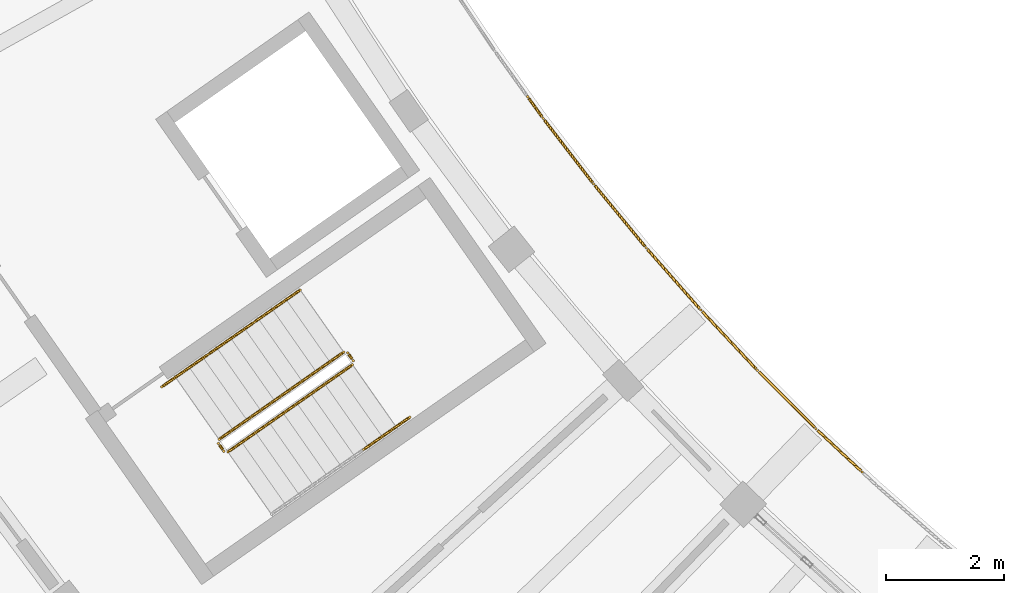
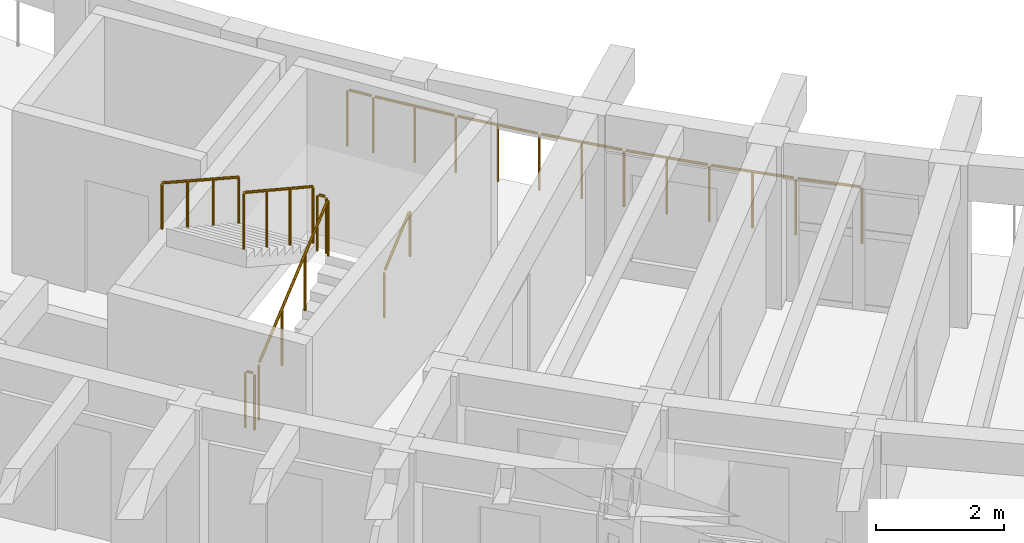
# One storey, part 80 of 96: 9 railings.
"""IFC4 building model written with IfcOpenShell, lengths in metres."""

import ifcopenshell
import ifcopenshell.guid

model = None  # the IFC model being written
_history = None  # IfcOwnerHistory: only IFC2X3 demands one
_inside = {}  # id of a spatial element -> (the spatial element, [elements in it])
_under = {}  # id of a project, library or spatial element -> (it, [spatial elements below it])
_declared = {}  # id of a project -> (the project, [libraries it declares])
_typed = {}  # id of a type object -> (the type object, [elements of that type])
_made_of = {}  # id of a material, layer set ... -> (it, [elements and type objects made of it])


def new_model(schema):
    """Start an empty IFC model of exactly this schema.

    Asked for "IFC4X3", IfcOpenShell would pick the latest addendum, in which some entities
    have other attributes; the version numbers below select the first issue.
    IFC2X3 requires an IfcOwnerHistory on every rooted entity: one is made here for all.
    """
    global model, _history
    if schema == "IFC4X3":
        model = ifcopenshell.file(schema_version=(4, 3, 0, 0))
    else:
        model = ifcopenshell.file(schema=schema)
    _inside.clear()
    _under.clear()
    _declared.clear()
    _typed.clear()
    _made_of.clear()
    _history = None
    if model.schema == "IFC2X3":
        org = make("IfcOrganization", Name="unknown")
        user = make(
            "IfcPersonAndOrganization",
            ThePerson=make("IfcPerson", FamilyName="unknown"),
            TheOrganization=org,
        )
        app = make(
            "IfcApplication",
            ApplicationDeveloper=org,
            Version="unknown",
            ApplicationFullName="unknown",
            ApplicationIdentifier="unknown",
        )
        _history = make(
            "IfcOwnerHistory",
            OwningUser=user,
            OwningApplication=app,
            ChangeAction="ADDED",
            CreationDate=0,
        )
    return model


def make(cls, **values):
    """One entity of the class cls with the attributes given. An attribute that is None is left unset."""
    return model.create_entity(
        cls, **{name: value for name, value in values.items() if value is not None}
    )


def rooted(cls, **values):
    """An entity with a GlobalId (a new one), such as an element, a storey or a relation."""
    return make(cls, GlobalId=ifcopenshell.guid.new(), OwnerHistory=_history, **values)


def si_unit(unit_type, name, prefix=None):
    """IfcSIUnit, for example si_unit("LENGTHUNIT", "METRE", prefix="MILLI")."""
    return make("IfcSIUnit", UnitType=unit_type, Prefix=prefix, Name=name)


def assignment(units):
    """IfcUnitAssignment: the units of a project."""
    return None if units is None else make("IfcUnitAssignment", Units=units)


def point(xyz):
    """IfcCartesianPoint."""
    return None if xyz is None else make("IfcCartesianPoint", Coordinates=xyz)


def direction(xyz):
    """IfcDirection."""
    return None if xyz is None else make("IfcDirection", DirectionRatios=xyz)


def frame(location, z_axis=None, x_axis=None):
    """IfcAxis2Placement3D, a coordinate frame: its origin and axes. An axis left out is left unset."""
    return make(
        "IfcAxis2Placement3D",
        Location=point(location),
        Axis=direction(z_axis),
        RefDirection=direction(x_axis),
    )


def frame_2d(location, x_axis=None):
    """IfcAxis2Placement2D, a coordinate frame in the plane: its origin and x axis."""
    return make(
        "IfcAxis2Placement2D", Location=point(location), RefDirection=direction(x_axis)
    )


def origin():
    """The frame at (0, 0, 0) with its axes left unset."""
    return frame((0.0, 0.0, 0.0))


def origin_2d():
    """The frame at (0, 0) in the plane with its x axis left unset."""
    return frame_2d((0.0, 0.0))


def place(relative_to, where):
    """IfcLocalPlacement: puts the frame where relative to a parent placement (None: the world)."""
    return make(
        "IfcLocalPlacement", PlacementRelTo=relative_to, RelativePlacement=where
    )


def context(
    kind, dimensions, precision=None, world=None, true_north=None, identifier=None
):
    """IfcGeometricRepresentationContext, for example the 3D "Model" context."""
    return make(
        "IfcGeometricRepresentationContext",
        ContextIdentifier=identifier,
        ContextType=kind,
        CoordinateSpaceDimension=dimensions,
        Precision=precision,
        WorldCoordinateSystem=world,
        TrueNorth=true_north,
    )


def subcontext(parent, identifier, kind, view, scale=None):
    """IfcGeometricRepresentationSubContext, for example "Body" below "Model"."""
    return make(
        "IfcGeometricRepresentationSubContext",
        ContextIdentifier=identifier,
        ContextType=kind,
        ParentContext=parent,
        TargetScale=scale,
        TargetView=view,
    )


def project(units=None, contexts=None):
    """IfcProject with its units and contexts."""
    return rooted(
        "IfcProject",
        Name="project",
        RepresentationContexts=contexts,
        UnitsInContext=assignment(units),
    )


def spatial(cls, under=None, at=None, **own):
    """A site, building, storey or space (cls), placed at a placement, below another one or the project."""
    s = rooted(cls, ObjectPlacement=at, **own)
    if under is not None:
        _under.setdefault(under.id(), (under, []))[1].append(s)
    return s


def profile(cls, at=None, kind="AREA", **sizes):
    """A parametric profile (cls). Its sizes go by their IFC names, for example OverallWidth=200.0."""
    return make(cls, ProfileType=kind, Position=at, **sizes)


def circle(**sizes):
    """IfcCircleProfileDef."""
    return profile("IfcCircleProfileDef", **sizes)


def extrude(swept, where, along, depth):
    """IfcExtrudedAreaSolid: the profile swept, set in the frame where, extruded along a direction by depth."""
    return make(
        "IfcExtrudedAreaSolid",
        SweptArea=swept,
        Position=where,
        ExtrudedDirection=direction(along),
        Depth=depth,
    )


def shape(context_of_items, identifier, shape_type, items):
    """IfcShapeRepresentation: the items that make up one representation, for example the "Body"."""
    return make(
        "IfcShapeRepresentation",
        ContextOfItems=context_of_items,
        RepresentationIdentifier=identifier,
        RepresentationType=shape_type,
        Items=items,
    )


def material(Name=None, Category=None):
    """IfcMaterial."""
    return make("IfcMaterial", Name=Name, Category=Category)


def made_of(thing, what):
    """Note that an element or type object is made of a material, layer set ...; save() writes the relation."""
    if what is not None:
        _made_of.setdefault(what.id(), (what, []))[1].append(thing)
    return thing


def type_object(cls, material=None, **own):
    """A type object (cls), such as IfcWallType, which elements share."""
    return made_of(rooted(cls, **own), material)


def element(
    cls,
    number,
    at=None,
    inside=None,
    cuts=None,
    type_object=None,
    material=None,
    context=None,
    identifier="Body",
    shape_type=None,
    held_by="IfcProductDefinitionShape",
    body=None,
    shapes=None,
    **own,
):
    """One element of the class cls, such as IfcWall. Its Tag is "e" and its number.

    at: its placement. inside: the storey or other place that contains it. cuts: it is an
    opening in that element (IfcRelVoidsElement). A single representation is given by context,
    identifier, shape_type and body (its items); several are given by shapes. held_by: the class
    of the entity that holds the representations. save() writes the other relations.
    """
    e = rooted(cls, Tag="e%d" % number, ObjectPlacement=at, **own)
    if body is not None:
        shapes = [shape(context, identifier, shape_type, body)]
    if shapes is not None:
        e.Representation = make(held_by, Representations=shapes)
    if inside is not None:
        _inside.setdefault(inside.id(), (inside, []))[1].append(e)
    if cuts is not None:
        rooted(
            "IfcRelVoidsElement", RelatingBuildingElement=cuts, RelatedOpeningElement=e
        )
    if type_object is not None:
        _typed.setdefault(type_object.id(), (type_object, []))[1].append(e)
    return made_of(e, material)


def aggregate(whole, parts):
    """IfcRelAggregates: a whole, such as a stair, and the parts it consists of."""
    return rooted("IfcRelAggregates", RelatingObject=whole, RelatedObjects=parts)


def save(model, path):
    """Write the relations noted so far, then the file.

    IfcRelAggregates (storeys below a building ...), IfcRelContainedInSpatialStructure (elements
    in a storey), IfcRelDefinesByType, IfcRelAssociatesMaterial and IfcRelDeclares: one each for
    every whole, place, type object, material and project.
    """
    for whole, parts in _under.values():
        aggregate(whole, parts)
    for where, things in _inside.values():
        rooted(
            "IfcRelContainedInSpatialStructure",
            RelatedElements=things,
            RelatingStructure=where,
        )
    for kind, things in _typed.values():
        rooted("IfcRelDefinesByType", RelatedObjects=things, RelatingType=kind)
    for what, things in _made_of.values():
        rooted("IfcRelAssociatesMaterial", RelatedObjects=things, RelatingMaterial=what)
    for by, libraries in _declared.values():
        rooted("IfcRelDeclares", RelatingContext=by, RelatedDefinitions=libraries)
    model.write(path)


model = new_model("IFC4")

# Units and contexts
model_context = context("Model", 3, precision=1e-05, world=origin(), true_north=direction((0.0, 1.0)))
body_context = subcontext(model_context, "Body", "Model", "MODEL_VIEW")
ifc_project = project(units=[si_unit("LENGTHUNIT", "METRE"), si_unit("AREAUNIT", "SQUARE_METRE"), si_unit("VOLUMEUNIT", "CUBIC_METRE"), si_unit("PLANEANGLEUNIT", "RADIAN"), si_unit("MASSUNIT", "GRAM", prefix="KILO")], contexts=[model_context])

# Site, building, storey
site_placement = place(None, origin())
site = spatial("IfcSite", under=ifc_project, at=site_placement, CompositionType="ELEMENT")
building_placement = place(site_placement, origin())
building = spatial("IfcBuilding", under=site, at=building_placement, Name="Tanwirah Colonnade Gardens", CompositionType="ELEMENT")
storey_placement = place(building_placement, frame((0.0, 0.0, 12.199951171875)))
storey = spatial("IfcBuildingStorey", under=building, at=storey_placement, Name="L03", CompositionType="ELEMENT", Elevation=12.199951171875)

# Railings
ifc_material_1 = material(Name="Precast concrete C40/50", Category="concrete")
railing_type_1 = type_object("IfcRailingType", Name="BAL-EXT110", PredefinedType="BALUSTRADE", material=ifc_material_1)
railing_1_placement = place(storey_placement, frame((30.484375, 39.403564453125, 0.0)))
element("IfcRailing", 1, at=railing_1_placement, inside=storey, type_object=railing_type_1, Name="Block C L03 Balcony Ribbon Balustrade 3", PredefinedType="BALUSTRADE", context=body_context, shape_type="SweptSolid", body=[
    extrude(circle(Radius=0.02392578125, at=origin_2d()), frame((0.018310546875, -0.025390625, 1.076171875), z_axis=(0.583501451955, -0.812112095444, 0.0), x_axis=(0.812112095444, 0.583501451955, 0.0)), (0.0, 0.0, 1.0), 0.385986328125),
    extrude(circle(Radius=0.02392578125, at=origin_2d()), frame((0.2822265625, -0.391357421875, 1.076171875), z_axis=(0.609651512095, -0.792669561546, 0.0), x_axis=(0.792669561546, 0.609651512095, 0.0)), (0.0, 0.0, 1.0), 1.33154296875),
    extrude(circle(Radius=0.02392578125, at=origin_2d()), frame((1.134521484375, -1.49755859375, 1.076171875), z_axis=(0.635209885743, -0.77233956331, 0.0), x_axis=(0.77233956331, 0.635209885743, 0.0)), (0.0, 0.0, 1.0), 1.33154296875),
    extrude(circle(Radius=0.02392578125, at=origin_2d()), frame((2.022705078125, -2.57568359375, 1.076171875), z_axis=(0.660288280901, -0.751012240982, 0.0), x_axis=(0.751012240982, 0.660288280901, 0.0)), (0.0, 0.0, 1.0), 1.33154296875),
    extrude(circle(Radius=0.02392578125, at=origin_2d()), frame((2.945556640625, -3.623779296875, 1.076171875), z_axis=(0.684424509294, -0.729083733928, 0.0), x_axis=(0.729083733928, 0.684424509294, 0.0)), (0.0, 0.0, 1.0), 1.33154296875),
    extrude(circle(Radius=0.02392578125, at=origin_2d()), frame((3.902099609375, -4.641357421875, 1.076171875), z_axis=(0.707894448134, -0.706318235855, 0.0), x_axis=(0.706318235855, 0.707894448134, 0.0)), (0.0, 0.0, 1.0), 1.33154296875),
    extrude(circle(Radius=0.02392578125, at=origin_2d()), frame((4.8916015625, -5.627197265625, 1.076171875), z_axis=(0.730536879767, -0.682873243948, 0.0), x_axis=(0.682873243948, 0.730536879767, 0.0)), (0.0, 0.0, 1.0), 1.0029296875),
    extrude(circle(Radius=0.02099609375, at=origin_2d()), origin(), (0.0, 0.0, 1.0), 1.049072265625),
    extrude(circle(Radius=0.02099609375, at=origin_2d()), frame((0.26171875, -0.3642578125, 0.0)), (0.0, 0.0, 1.0), 1.049072265625),
    extrude(circle(Radius=0.02099609375, at=origin_2d()), frame((0.68798828125, -0.9189453125, 0.0)), (0.0, 0.0, 1.0), 1.049072265625),
    extrude(circle(Radius=0.02099609375, at=origin_2d()), frame((1.113037109375, -1.471435546875, 0.0)), (0.0, 0.0, 1.0), 1.049072265625),
    extrude(circle(Radius=0.02099609375, at=origin_2d()), frame((1.5576171875, -2.01171875, 0.0)), (0.0, 0.0, 1.0), 1.049072265625),
    extrude(circle(Radius=0.02099609375, at=origin_2d()), frame((2.000244140625, -2.550048828125, 0.0)), (0.0, 0.0, 1.0), 1.049072265625),
    extrude(circle(Radius=0.02099609375, at=origin_2d()), frame((2.462158203125, -3.07568359375, 0.0)), (0.0, 0.0, 1.0), 1.049072265625),
    extrude(circle(Radius=0.02099609375, at=origin_2d()), frame((2.92236328125, -3.59912109375, 0.0)), (0.0, 0.0, 1.0), 1.049072265625),
    extrude(circle(Radius=0.02099609375, at=origin_2d()), frame((3.401123046875, -4.109375, 0.0)), (0.0, 0.0, 1.0), 1.049072265625),
    extrude(circle(Radius=0.02099609375, at=origin_2d()), frame((3.878173828125, -4.617431640625, 0.0)), (0.0, 0.0, 1.0), 1.049072265625),
    extrude(circle(Radius=0.02099609375, at=origin_2d()), frame((4.373291015625, -5.11181640625, 0.0)), (0.0, 0.0, 1.0), 1.049072265625),
    extrude(circle(Radius=0.02099609375, at=origin_2d()), frame((4.86669921875, -5.60400390625, 0.0)), (0.0, 0.0, 1.0), 1.049072265625),
    extrude(circle(Radius=0.02099609375, at=origin_2d()), frame((5.64697265625, -6.33349609375, 0.0)), (0.0, 0.0, 1.0), 1.049072265625),
])
ifc_material_2 = material(Name="Powder-coated galvanized steel", Category="steel")
railing_type_2 = type_object("IfcRailingType", Name="GRD-ST110", PredefinedType="GUARDRAIL", material=ifc_material_2)
railing_2_placement = place(storey_placement, frame((25.426513671875, 33.40869140625, 0.16796875)))
element("IfcRailing", 2, at=railing_2_placement, inside=storey, type_object=railing_type_2, Name="L03 ST-C1 stair guard 1", PredefinedType="GUARDRAIL", context=body_context, shape_type="SweptSolid", body=[
    extrude(circle(Radius=0.02392578125, at=origin_2d()), frame((0.02197265625, 0.015380859375, 1.092041015625), z_axis=(0.705672637115, 0.494118441931, 0.507812066193), x_axis=(-0.573577325805, 0.819151421486, 0.0)), (0.0, 0.0, 1.0), 2.914794921875),
    extrude(circle(Radius=0.02099609375, at=origin_2d()), origin(), (0.0, 0.0, 1.0), 1.049072265625),
    extrude(circle(Radius=0.02099609375, at=origin_2d()), frame((0.700439453125, 0.490478515625, 0.50390625)), (0.0, 0.0, 1.0), 1.049072265625),
    extrude(circle(Radius=0.02099609375, at=origin_2d()), frame((1.400634765625, 0.980712890625, 1.008056640625)), (0.0, 0.0, 1.0), 1.049072265625),
    extrude(circle(Radius=0.02099609375, at=origin_2d()), frame((2.10107421875, 1.47119140625, 1.511962890625)), (0.0, 0.0, 1.0), 1.049072265625),
])
railing_3_placement = place(storey_placement, frame((27.539794921875, 34.94970703125, 1.679931640625)))
element("IfcRailing", 3, at=railing_3_placement, inside=storey, type_object=railing_type_2, Name="L03 ST-C1 stair guard 2", PredefinedType="GUARDRAIL", context=body_context, shape_type="SweptSolid", body=[
    extrude(circle(Radius=0.02392578125, at=origin_2d()), frame((-0.01806640625, 0.025634765625, 1.076171875), z_axis=(-0.57428210862, 0.81865747399, 0.0), x_axis=(-0.81865747399, -0.57428210862, 0.0)), (0.0, 0.0, 1.0), 0.097412109375),
    extrude(circle(Radius=0.02099609375, at=origin_2d()), origin(), (0.0, 0.0, 1.0), 1.049072265625),
    extrude(circle(Radius=0.02099609375, at=origin_2d()), frame((-0.091796875, 0.130859375, 0.0)), (0.0, 0.0, 1.0), 1.049072265625),
])
railing_4_placement = place(storey_placement, frame((27.37841796875, 35.093017578125, 1.84814453125)))
element("IfcRailing", 4, at=railing_4_placement, inside=storey, type_object=railing_type_2, Name="L03 ST-C1 stair guard 3", PredefinedType="GUARDRAIL", context=body_context, shape_type="SweptSolid", body=[
    extrude(circle(Radius=0.02392578125, at=origin_2d()), frame((-0.02197265625, -0.015380859375, 1.092041015625), z_axis=(-0.705672637115, -0.494118441931, 0.507812066193), x_axis=(0.573577325805, -0.819151421486, 0.0)), (0.0, 0.0, 1.0), 2.914794921875),
    extrude(circle(Radius=0.02099609375, at=origin_2d()), origin(), (0.0, 0.0, 1.0), 1.049072265625),
    extrude(circle(Radius=0.02099609375, at=origin_2d()), frame((-0.700439453125, -0.490478515625, 0.50390625)), (0.0, 0.0, 1.0), 1.049072265625),
    extrude(circle(Radius=0.02099609375, at=origin_2d()), frame((-1.400634765625, -0.980712890625, 1.008056640625)), (0.0, 0.0, 1.0), 1.049072265625),
    extrude(circle(Radius=0.02099609375, at=origin_2d()), frame((-2.10107421875, -1.47119140625, 1.511962890625)), (0.0, 0.0, 1.0), 1.049072265625),
])
railing_5_placement = place(storey_placement, frame((25.356689453125, 33.4208984375, 0.0)))
element("IfcRailing", 5, at=railing_5_placement, inside=storey, type_object=railing_type_2, Name="L03 ST-C1 stair guard 4", PredefinedType="GUARDRAIL", context=body_context, shape_type="SweptSolid", body=[
    extrude(circle(Radius=0.02392578125, at=origin_2d()), frame((-0.017822265625, 0.025634765625, 1.076171875), z_axis=(-0.57356471828, 0.819160249246, 0.0), x_axis=(-0.819160249246, -0.57356471828, 0.0)), (0.0, 0.0, 1.0), 0.097412109375),
    extrude(circle(Radius=0.02099609375, at=origin_2d()), origin(), (0.0, 0.0, 1.0), 1.049072265625),
    extrude(circle(Radius=0.02099609375, at=origin_2d()), frame((-0.091796875, 0.131103515625, 0.0)), (0.0, 0.0, 1.0), 1.049072265625),
])
ifc_material_3 = material(Name="Brushed bronze stainless steel", Category="steel")
railing_type_3 = type_object("IfcRailingType", Name="HR-ST090", PredefinedType="HANDRAIL", material=ifc_material_3)
railing_6_placement = place(storey_placement, frame((27.717041015625, 33.449951171875, 1.300048828125)))
element("IfcRailing", 6, at=railing_6_placement, inside=storey, type_object=railing_type_3, Name="L03 ST-C1 stair handrail 3", PredefinedType="HANDRAIL", context=body_context, shape_type="SweptSolid", body=[
    extrude(circle(Radius=0.02392578125, at=origin_2d()), frame((0.02197265625, 0.015380859375, 0.891845703125), z_axis=(0.703686044561, 0.492823109966, 0.511811814023), x_axis=(-0.57365206981, 0.819099079967, 0.0)), (0.0, 0.0, 1.0), 1.043212890625),
    extrude(circle(Radius=0.02099609375, at=origin_2d()), origin(), (0.0, 0.0, 1.0), 0.848876953125),
    extrude(circle(Radius=0.02099609375, at=origin_2d()), frame((0.778076171875, 0.544921875, 0.56591796875)), (0.0, 0.0, 1.0), 0.848876953125),
])
railing_7_placement = place(storey_placement, frame((26.644287109375, 36.141357421875, 1.84814453125)))
element("IfcRailing", 7, at=railing_7_placement, inside=storey, type_object=railing_type_3, Name="L03 ST-C1 stair handrail 4", PredefinedType="HANDRAIL", context=body_context, shape_type="SweptSolid", body=[
    extrude(circle(Radius=0.02392578125, at=origin_2d()), frame((-0.02197265625, -0.015380859375, 0.891845703125), z_axis=(-0.703797483594, -0.492746544348, 0.511732298297), x_axis=(0.573531324472, -0.819183630115, 0.0)), (0.0, 0.0, 1.0), 1.04345703125),
    extrude(circle(Radius=0.02099609375, at=origin_2d()), origin(), (0.0, 0.0, 1.0), 0.848876953125),
    extrude(circle(Radius=0.02099609375, at=origin_2d()), frame((-0.7783203125, -0.544921875, 0.56591796875)), (0.0, 0.0, 1.0), 0.848876953125),
])
railing_8_placement = place(storey_placement, frame((25.865966796875, 35.596435546875, 2.4140625)))
element("IfcRailing", 8, at=railing_8_placement, inside=storey, type_object=railing_type_3, Name="L03 ST-C1 stair handrail 5", PredefinedType="HANDRAIL", context=body_context, shape_type="SweptSolid", body=[
    extrude(circle(Radius=0.02392578125, at=origin_2d()), frame((-0.02197265625, -0.015380859375, 0.891845703125), z_axis=(-0.703762611354, -0.492655910239, 0.511867503332), x_axis=(0.573479595945, -0.819219844141, 0.0)), (0.0, 0.0, 1.0), 1.04296875),
    extrude(circle(Radius=0.02099609375, at=origin_2d()), origin(), (0.0, 0.0, 1.0), 0.848876953125),
    extrude(circle(Radius=0.02099609375, at=origin_2d()), frame((-0.778076171875, -0.544677734375, 0.56591796875)), (0.0, 0.0, 1.0), 0.848876953125),
])
railing_9_placement = place(storey_placement, frame((25.087890625, 35.0517578125, 2.97998046875)))
element("IfcRailing", 9, at=railing_9_placement, inside=storey, type_object=railing_type_3, Name="L03 ST-C1 stair handrail 6", PredefinedType="HANDRAIL", context=body_context, shape_type="SweptSolid", body=[
    extrude(circle(Radius=0.02392578125, at=origin_2d()), frame((-0.02197265625, -0.015380859375, 0.891845703125), z_axis=(-0.703717970253, -0.492690875033, 0.511895223656), x_axis=(0.573531324472, -0.819183630115, 0.0)), (0.0, 0.0, 1.0), 1.04345703125),
    extrude(circle(Radius=0.02099609375, at=origin_2d()), origin(), (0.0, 0.0, 1.0), 0.848876953125),
    extrude(circle(Radius=0.02099609375, at=origin_2d()), frame((-0.7783203125, -0.544921875, 0.566162109375)), (0.0, 0.0, 1.0), 0.848876953125),
])

save(model, "model.ifc")
